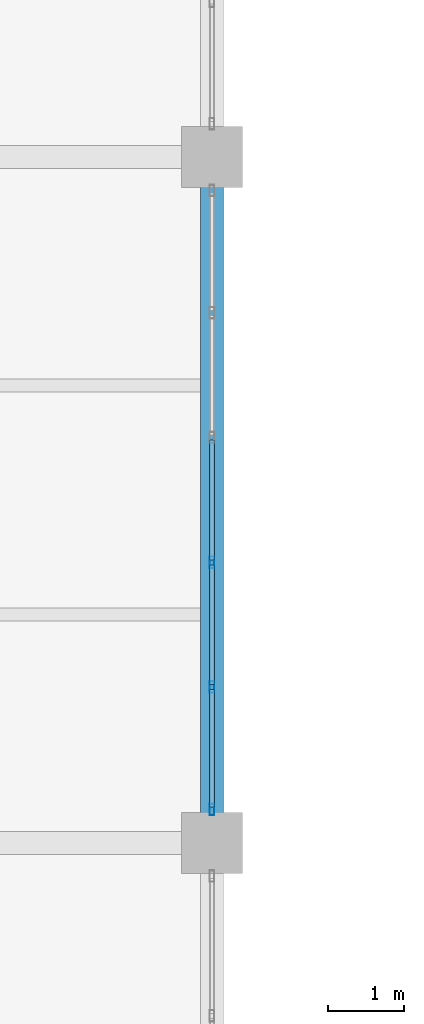
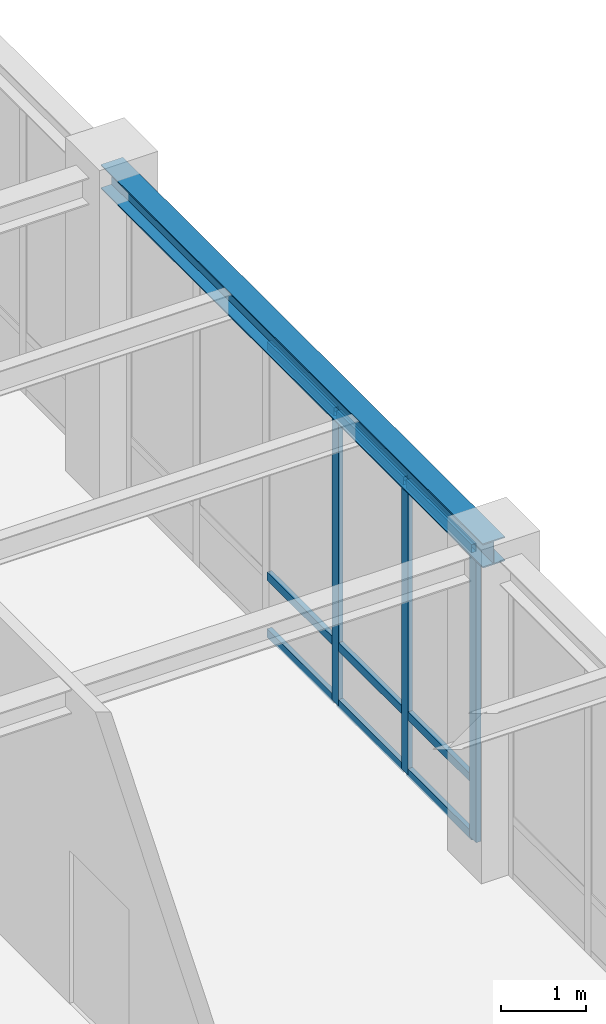
# One storey, part 18 of 92: 12 members, 1 beam, 1 element without a shape of its own.
"""IFC4 building model written with IfcOpenShell, lengths in metres."""

from ifc_helpers import new_model, si_unit, direction, frame, origin, origin_2d, place, context, subcontext, project, spatial, hollow_rectangle, i_section, extrude, material, material_profile, profile_set, type_object, element, aggregate, save


model = new_model("IFC4")

# Units and contexts
model_context = context("Model", 3, precision=1e-05, world=origin(), true_north=direction((0.0, 1.0)))
body_context = subcontext(model_context, "Body", "Model", "MODEL_VIEW")
ifc_project = project(units=[si_unit("LENGTHUNIT", "METRE"), si_unit("AREAUNIT", "SQUARE_METRE"), si_unit("VOLUMEUNIT", "CUBIC_METRE"), si_unit("PLANEANGLEUNIT", "RADIAN"), si_unit("MASSUNIT", "GRAM", prefix="KILO")], contexts=[model_context])

# Site, building, storey
site_placement = place(None, origin())
site = spatial("IfcSite", under=ifc_project, at=site_placement, CompositionType="ELEMENT")
building_placement = place(site_placement, origin())
building = spatial("IfcBuilding", under=site, at=building_placement, Name="Lykobir Media Centre", CompositionType="ELEMENT")
storey_placement = place(building_placement, frame((0.0, 0.0, 5.39990234375)))
storey = spatial("IfcBuildingStorey", under=building, at=storey_placement, Name="L01", CompositionType="ELEMENT", Elevation=5.39990234375)

# Beam
ifc_material_1 = material(Name="Steel S355", Category="steel")
ifc_material_profile_1 = material_profile(ifc_material_1, i_section(OverallWidth=0.300048828125, OverallDepth=0.35009765625, WebThickness=0.010009765625, FlangeThickness=0.017578125, at=origin_2d()), Name="HEA 360")
ifc_profile_set_1 = profile_set([ifc_material_profile_1], Name="Steel S355")
beam_type = type_object("IfcBeamType", Name="BM-HEA360", PredefinedType="BEAM", material=ifc_profile_set_1)
beam_placement = place(storey_placement, frame((36.0, 27.0, 4.385009765625), z_axis=(0.0, 1.0, 0.0), x_axis=(-1.0, 0.0, 0.0)))
element("IfcBeam", 1, at=beam_placement, inside=storey, type_object=beam_type, Name="Beam BM-L01-0360-0270-0360-0360-978", PredefinedType="BEAM", context=body_context, shape_type="SweptSolid", body=[
    extrude(i_section(OverallWidth=0.300048828125, OverallDepth=0.35009765625, WebThickness=0.010009765625, FlangeThickness=0.017578125, at=origin_2d()), origin(), (0.0, 0.0, 1.0), 9.0),
])

# Curtain wall, members
ifc_material_2 = material(Name="Anodized Aluminium AW-6060", Category="aluminium")
curtain_wall_type = type_object("IfcCurtainWallType", Name="CW-COURT-A", PredefinedType="NOTDEFINED", material=ifc_material_2)
curtain_wall_placement = place(storey_placement, origin())
curtain_wall = element("IfcCurtainWall", 2, at=curtain_wall_placement, inside=storey, type_object=curtain_wall_type, Name="Curtain wall CW2-L01-0049", PredefinedType="NOTDEFINED")
ifc_material_profile_2 = material_profile(ifc_material_2, hollow_rectangle(XDim=0.06494140625, YDim=0.14990234375, WallThickness=0.00341796875, at=origin_2d()), Name="ALU MULLION 65x150")
ifc_profile_set_2 = profile_set([ifc_material_profile_2], Name="Anodized Aluminium AW-6060")
member_type_1 = type_object("IfcMemberType", Name="CWM-150", PredefinedType="MULLION", material=ifc_profile_set_2)
member_1_placement = place(storey_placement, frame((36.0, 30.680908203125, 0.0), z_axis=(0.0, 0.0, 1.0), x_axis=(1.0, 0.0, 0.0)))
member_1 = element("IfcMember", 3, at=member_1_placement, type_object=member_type_1, Name="CW2-L01-0049 mullion 4", PredefinedType="MULLION", context=body_context, shape_type="SweptSolid", body=[
    extrude(hollow_rectangle(XDim=0.06494140625, YDim=0.14990234375, WallThickness=0.00341796875, at=origin_2d()), origin(), (0.0, 0.0, 1.0), 4.195068359375),
])
member_2_placement = place(storey_placement, frame((36.0, 29.04296875, 0.0), z_axis=(0.0, 0.0, 1.0), x_axis=(1.0, 0.0, 0.0)))
member_2 = element("IfcMember", 4, at=member_2_placement, type_object=member_type_1, Name="CW2-L01-0049 mullion 5", PredefinedType="MULLION", context=body_context, shape_type="SweptSolid", body=[
    extrude(hollow_rectangle(XDim=0.06494140625, YDim=0.14990234375, WallThickness=0.00341796875, at=origin_2d()), origin(), (0.0, 0.0, 1.0), 4.195068359375),
])
member_3_placement = place(storey_placement, frame((36.0, 27.4375, 0.0), z_axis=(0.0, 0.0, 1.0), x_axis=(1.0, 0.0, 0.0)))
member_3 = element("IfcMember", 5, at=member_3_placement, type_object=member_type_1, Name="CW2-L01-0049 mullion 6", PredefinedType="MULLION", context=body_context, shape_type="SweptSolid", body=[
    extrude(hollow_rectangle(XDim=0.06494140625, YDim=0.14990234375, WallThickness=0.00341796875, at=origin_2d()), origin(), (0.0, 0.0, 1.0), 4.195068359375),
])
ifc_material_profile_3 = material_profile(ifc_material_2, hollow_rectangle(XDim=0.06494140625, YDim=0.1201171875, WallThickness=0.0029296875, at=origin_2d()), Name="ALU TRANSOM 65x120")
ifc_profile_set_3 = profile_set([ifc_material_profile_3], Name="Anodized Aluminium AW-6060")
member_type_2 = type_object("IfcMemberType", Name="CWT-120", PredefinedType="USERDEFINED", material=ifc_profile_set_3)
member_4_placement = place(storey_placement, frame((36.0, 32.28662109375, 0.03271484375), z_axis=(0.0, -1.0, 0.0), x_axis=(1.0, 0.0, 0.0)))
member_4 = element("IfcMember", 6, at=member_4_placement, type_object=member_type_2, Name="CW2-L01-0049 transom 3.1", ObjectType="TRANSOM", PredefinedType="USERDEFINED", context=body_context, shape_type="SweptSolid", body=[
    extrude(hollow_rectangle(XDim=0.06494140625, YDim=0.1201171875, WallThickness=0.0029296875, at=origin_2d()), origin(), (0.0, 0.0, 1.0), 1.5732421875),
])
member_5_placement = place(storey_placement, frame((36.0, 32.28662109375, 0.85009765625), z_axis=(0.0, -1.0, 0.0), x_axis=(1.0, 0.0, 0.0)))
member_5 = element("IfcMember", 7, at=member_5_placement, type_object=member_type_2, Name="CW2-L01-0049 transom 3.2", ObjectType="TRANSOM", PredefinedType="USERDEFINED", context=body_context, shape_type="SweptSolid", body=[
    extrude(hollow_rectangle(XDim=0.06494140625, YDim=0.1201171875, WallThickness=0.0029296875, at=origin_2d()), origin(), (0.0, 0.0, 1.0), 1.5732421875),
])
member_6_placement = place(storey_placement, frame((36.0, 32.28662109375, 4.16259765625), z_axis=(0.0, -1.0, 0.0), x_axis=(1.0, 0.0, 0.0)))
member_6 = element("IfcMember", 8, at=member_6_placement, type_object=member_type_2, Name="CW2-L01-0049 transom 3.3", ObjectType="TRANSOM", PredefinedType="USERDEFINED", context=body_context, shape_type="SweptSolid", body=[
    extrude(hollow_rectangle(XDim=0.06494140625, YDim=0.1201171875, WallThickness=0.0029296875, at=origin_2d()), origin(), (0.0, 0.0, 1.0), 1.5732421875),
])
member_7_placement = place(storey_placement, frame((36.0, 30.6484375, 0.03271484375), z_axis=(0.0, -1.0, 0.0), x_axis=(1.0, 0.0, 0.0)))
member_7 = element("IfcMember", 9, at=member_7_placement, type_object=member_type_2, Name="CW2-L01-0049 transom 4.1", ObjectType="TRANSOM", PredefinedType="USERDEFINED", context=body_context, shape_type="SweptSolid", body=[
    extrude(hollow_rectangle(XDim=0.06494140625, YDim=0.1201171875, WallThickness=0.0029296875, at=origin_2d()), origin(), (0.0, 0.0, 1.0), 1.572998046875),
])
member_8_placement = place(storey_placement, frame((36.0, 30.6484375, 0.85009765625), z_axis=(0.0, -1.0, 0.0), x_axis=(1.0, 0.0, 0.0)))
member_8 = element("IfcMember", 10, at=member_8_placement, type_object=member_type_2, Name="CW2-L01-0049 transom 4.2", ObjectType="TRANSOM", PredefinedType="USERDEFINED", context=body_context, shape_type="SweptSolid", body=[
    extrude(hollow_rectangle(XDim=0.06494140625, YDim=0.1201171875, WallThickness=0.0029296875, at=origin_2d()), origin(), (0.0, 0.0, 1.0), 1.572998046875),
])
member_9_placement = place(storey_placement, frame((36.0, 30.6484375, 4.16259765625), z_axis=(0.0, -1.0, 0.0), x_axis=(1.0, 0.0, 0.0)))
member_9 = element("IfcMember", 11, at=member_9_placement, type_object=member_type_2, Name="CW2-L01-0049 transom 4.3", ObjectType="TRANSOM", PredefinedType="USERDEFINED", context=body_context, shape_type="SweptSolid", body=[
    extrude(hollow_rectangle(XDim=0.06494140625, YDim=0.1201171875, WallThickness=0.0029296875, at=origin_2d()), origin(), (0.0, 0.0, 1.0), 1.572998046875),
])
member_10_placement = place(storey_placement, frame((36.0, 29.010498046875, 0.03271484375), z_axis=(0.0, -1.0, 0.0), x_axis=(1.0, 0.0, 0.0)))
member_10 = element("IfcMember", 12, at=member_10_placement, type_object=member_type_2, Name="CW2-L01-0049 transom 5.1", ObjectType="TRANSOM", PredefinedType="USERDEFINED", context=body_context, shape_type="SweptSolid", body=[
    extrude(hollow_rectangle(XDim=0.06494140625, YDim=0.1201171875, WallThickness=0.0029296875, at=origin_2d()), origin(), (0.0, 0.0, 1.0), 1.54052734375),
])
member_11_placement = place(storey_placement, frame((36.0, 29.010498046875, 0.85009765625), z_axis=(0.0, -1.0, 0.0), x_axis=(1.0, 0.0, 0.0)))
member_11 = element("IfcMember", 13, at=member_11_placement, type_object=member_type_2, Name="CW2-L01-0049 transom 5.2", ObjectType="TRANSOM", PredefinedType="USERDEFINED", context=body_context, shape_type="SweptSolid", body=[
    extrude(hollow_rectangle(XDim=0.06494140625, YDim=0.1201171875, WallThickness=0.0029296875, at=origin_2d()), origin(), (0.0, 0.0, 1.0), 1.54052734375),
])
member_12_placement = place(storey_placement, frame((36.0, 29.010498046875, 4.16259765625), z_axis=(0.0, -1.0, 0.0), x_axis=(1.0, 0.0, 0.0)))
member_12 = element("IfcMember", 14, at=member_12_placement, type_object=member_type_2, Name="CW2-L01-0049 transom 5.3", ObjectType="TRANSOM", PredefinedType="USERDEFINED", context=body_context, shape_type="SweptSolid", body=[
    extrude(hollow_rectangle(XDim=0.06494140625, YDim=0.1201171875, WallThickness=0.0029296875, at=origin_2d()), origin(), (0.0, 0.0, 1.0), 1.54052734375),
])
aggregate(curtain_wall, [member_1, member_2, member_3, member_4, member_5, member_6, member_7, member_8, member_9, member_10, member_11, member_12])

save(model, "model.ifc")
